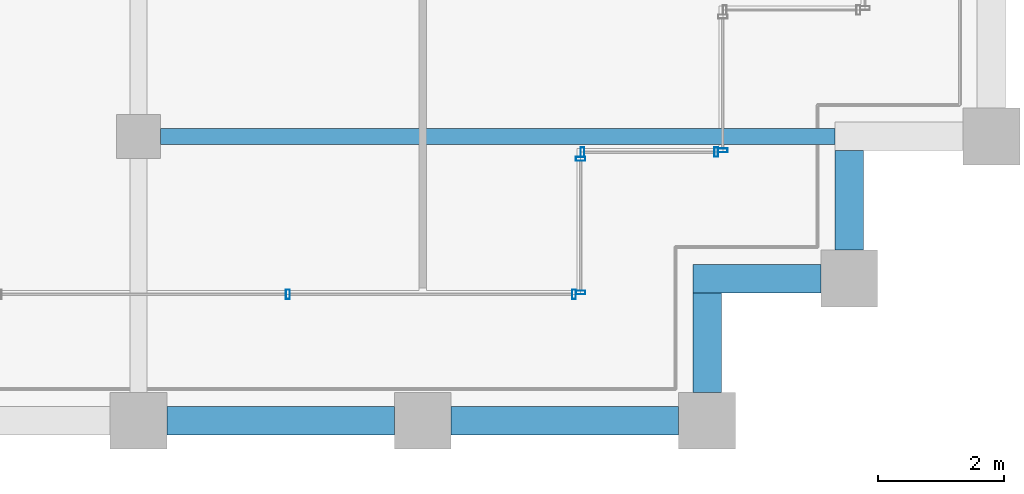
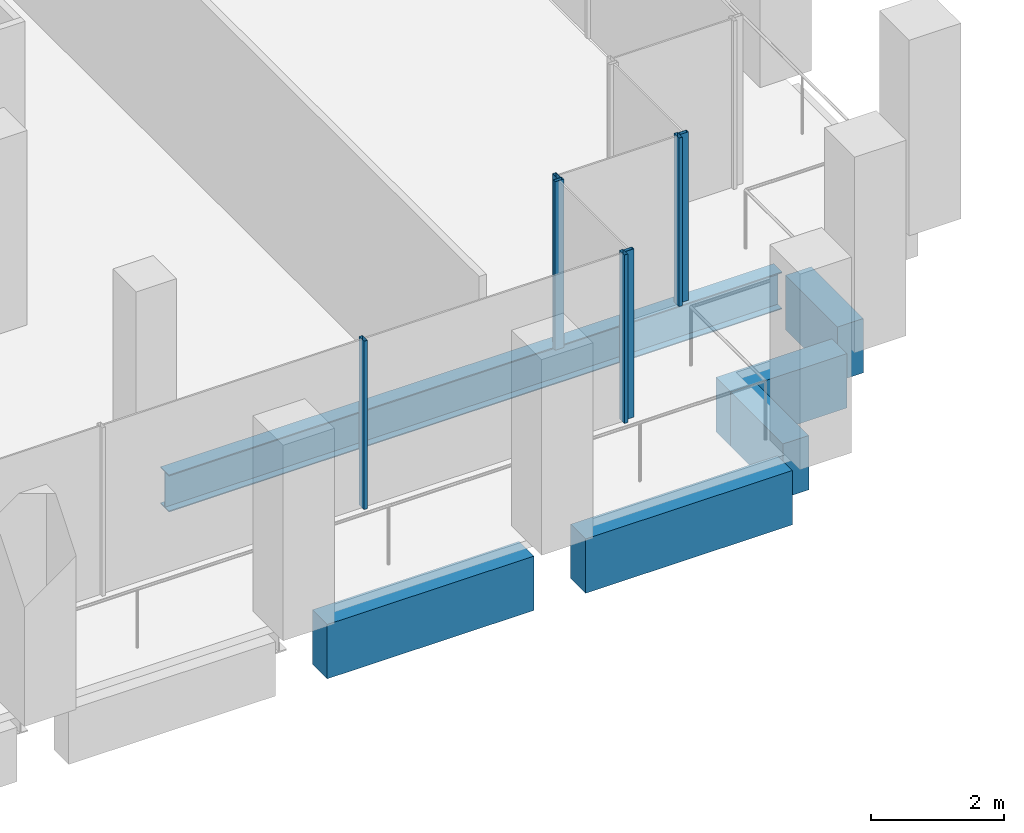
# One storey, part 12 of 40: 7 members, 6 beams, 4 elements without a shape of their own.
"""IFC4 building model written with IfcOpenShell, lengths in metres."""

from ifc_helpers import new_model, si_unit, direction, frame, origin, origin_2d, place, context, subcontext, project, spatial, rectangle, hollow_rectangle, i_section, extrude, material, material_profile, profile_set, type_object, element, aggregate, save


model = new_model("IFC4")

# Units and contexts
model_context = context("Model", 3, precision=1e-05, world=origin(), true_north=direction((0.0, 1.0)))
body_context = subcontext(model_context, "Body", "Model", "MODEL_VIEW")
ifc_project = project(units=[si_unit("LENGTHUNIT", "METRE"), si_unit("AREAUNIT", "SQUARE_METRE"), si_unit("VOLUMEUNIT", "CUBIC_METRE"), si_unit("PLANEANGLEUNIT", "RADIAN"), si_unit("MASSUNIT", "GRAM", prefix="KILO")], contexts=[model_context])

# Site, building, storey
site_placement = place(None, origin())
site = spatial("IfcSite", under=ifc_project, at=site_placement, CompositionType="ELEMENT")
building_placement = place(site_placement, origin())
building = spatial("IfcBuilding", under=site, at=building_placement, Name="Altepetl Exchange Towers", CompositionType="ELEMENT")
storey_placement = place(building_placement, frame((0.0, 0.0, 158.199951171875)))
storey = spatial("IfcBuildingStorey", under=building, at=storey_placement, Name="L39", CompositionType="ELEMENT", Elevation=158.199951171875)

# Beam
ifc_material_1 = material(Name="Steel S355", Category="steel")
ifc_material_profile_1 = material_profile(ifc_material_1, i_section(OverallWidth=0.25390625, OverallDepth=0.68408203125, WebThickness=0.012451171875, FlangeThickness=0.018798828125, at=origin_2d()), Name="W27X94")
ifc_profile_set_1 = profile_set([ifc_material_profile_1], Name="Steel S355")
beam_type_1 = type_object("IfcBeamType", Name="Floor beam W27X94", PredefinedType="BEAM", material=ifc_profile_set_1)
beam_1_placement = place(storey_placement, frame((58.85009765625, 31.5, -0.491943359375), z_axis=(1.0, 0.0, 0.0), x_axis=(0.0, 1.0, 0.0)))
element("IfcBeam", 1, at=beam_1_placement, inside=storey, type_object=beam_type_1, Name="bm:A:L39:006", PredefinedType="BEAM", context=body_context, shape_type="SweptSolid", body=[
    extrude(i_section(OverallWidth=0.25390625, OverallDepth=0.68408203125, WebThickness=0.012451171875, FlangeThickness=0.018798828125, at=origin_2d()), origin(), (0.0, 0.0, 1.0), 10.6748046875),
])

# Curtain wall, members
ifc_material_2 = material(Name="Aluminium 6063-T6 glazing", Category="aluminium")
curtain_wall_type = type_object("IfcCurtainWallType", Name="Loggia glazing system", PredefinedType="NOTDEFINED", material=ifc_material_2)
curtain_wall_1_placement = place(storey_placement, origin())
curtain_wall_1 = element("IfcCurtainWall", 2, at=curtain_wall_1_placement, inside=storey, type_object=curtain_wall_type, Name="CW1 run", PredefinedType="NOTDEFINED")
ifc_material_3 = material(Name="Aluminium 6063-T6", Category="aluminium")
ifc_material_profile_2 = material_profile(ifc_material_3, hollow_rectangle(XDim=0.06005859375, YDim=0.14990234375, WallThickness=0.0029296875, at=origin_2d()), Name="Mullion 60x150 aluminium")
ifc_profile_set_2 = profile_set([ifc_material_profile_2], Name="Aluminium 6063-T6")
member_type = type_object("IfcMemberType", Name="Mullion 60x150 aluminium", PredefinedType="MULLION", material=ifc_profile_set_2)
member_1_placement = place(storey_placement, frame((60.8642578125, 29.0, 0.0)))
member_1 = element("IfcMember", 3, at=member_1_placement, type_object=member_type, Name="MU1 mullion", PredefinedType="MULLION", context=body_context, shape_type="SweptSolid", body=[
    extrude(hollow_rectangle(XDim=0.06005859375, YDim=0.14990234375, WallThickness=0.0029296875, at=origin_2d()), origin(), (0.0, 0.0, 1.0), 3.10009765625),
])
member_2_placement = place(storey_placement, frame((65.39501953125, 29.0, 0.0)))
member_2 = element("IfcMember", 4, at=member_2_placement, type_object=member_type, Name="MU1 mullion", PredefinedType="MULLION", context=body_context, shape_type="SweptSolid", body=[
    extrude(hollow_rectangle(XDim=0.06005859375, YDim=0.14990234375, WallThickness=0.0029296875, at=origin_2d()), origin(), (0.0, 0.0, 1.0), 3.10009765625),
])
aggregate(curtain_wall_1, [member_1, member_2])

curtain_wall_2_placement = place(storey_placement, origin())
curtain_wall_2 = element("IfcCurtainWall", 5, at=curtain_wall_2_placement, inside=storey, type_object=curtain_wall_type, Name="CW1 run", PredefinedType="NOTDEFINED")
member_3_placement = place(storey_placement, frame((65.5, 29.030029296875, 0.0), z_axis=(0.0, 0.0, 1.0), x_axis=(0.0, 1.0, 0.0)))
member_3 = element("IfcMember", 6, at=member_3_placement, type_object=member_type, Name="MU1 mullion", PredefinedType="MULLION", context=body_context, shape_type="SweptSolid", body=[
    extrude(hollow_rectangle(XDim=0.06005859375, YDim=0.14990234375, WallThickness=0.0029296875, at=origin_2d()), origin(), (0.0, 0.0, 1.0), 3.10009765625),
])
member_4_placement = place(storey_placement, frame((65.5, 31.14501953125, 0.0), z_axis=(0.0, 0.0, 1.0), x_axis=(0.0, 1.0, 0.0)))
member_4 = element("IfcMember", 7, at=member_4_placement, type_object=member_type, Name="MU1 mullion", PredefinedType="MULLION", context=body_context, shape_type="SweptSolid", body=[
    extrude(hollow_rectangle(XDim=0.06005859375, YDim=0.14990234375, WallThickness=0.0029296875, at=origin_2d()), origin(), (0.0, 0.0, 1.0), 3.10009765625),
])
aggregate(curtain_wall_2, [member_3, member_4])

curtain_wall_3_placement = place(storey_placement, origin())
curtain_wall_3 = element("IfcCurtainWall", 8, at=curtain_wall_3_placement, inside=storey, type_object=curtain_wall_type, Name="CW1 run", PredefinedType="NOTDEFINED")
member_5_placement = place(storey_placement, frame((65.530029296875, 31.25, 0.0)))
member_5 = element("IfcMember", 9, at=member_5_placement, type_object=member_type, Name="MU1 mullion", PredefinedType="MULLION", context=body_context, shape_type="SweptSolid", body=[
    extrude(hollow_rectangle(XDim=0.06005859375, YDim=0.14990234375, WallThickness=0.0029296875, at=origin_2d()), origin(), (0.0, 0.0, 1.0), 3.10009765625),
])
member_6_placement = place(storey_placement, frame((67.64501953125, 31.25, 0.0)))
member_6 = element("IfcMember", 10, at=member_6_placement, type_object=member_type, Name="MU1 mullion", PredefinedType="MULLION", context=body_context, shape_type="SweptSolid", body=[
    extrude(hollow_rectangle(XDim=0.06005859375, YDim=0.14990234375, WallThickness=0.0029296875, at=origin_2d()), origin(), (0.0, 0.0, 1.0), 3.10009765625),
])
aggregate(curtain_wall_3, [member_5, member_6])

# Curtain wall, member
curtain_wall_4_placement = place(storey_placement, origin())
curtain_wall_4 = element("IfcCurtainWall", 11, at=curtain_wall_4_placement, inside=storey, type_object=curtain_wall_type, Name="CW1 run", PredefinedType="NOTDEFINED")
member_7_placement = place(storey_placement, frame((67.75, 31.280029296875, 0.0), z_axis=(0.0, 0.0, 1.0), x_axis=(0.0, 1.0, 0.0)))
member_7 = element("IfcMember", 12, at=member_7_placement, type_object=member_type, Name="MU1 mullion", PredefinedType="MULLION", context=body_context, shape_type="SweptSolid", body=[
    extrude(hollow_rectangle(XDim=0.06005859375, YDim=0.14990234375, WallThickness=0.0029296875, at=origin_2d()), origin(), (0.0, 0.0, 1.0), 3.10009765625),
])
aggregate(curtain_wall_4, [member_7])

# Beams
ifc_material_4 = material(Name="Concrete C50/60 precast with cantera amarilla facing", Category="concrete")
ifc_material_profile_3 = material_profile(ifc_material_4, rectangle(XDim=0.449951171875, YDim=1.0, at=origin_2d()), Name="450 x 1000")
ifc_profile_set_3 = profile_set([ifc_material_profile_3], Name="Concrete C50/60 precast with cantera amarilla facing")
beam_type_2 = type_object("IfcBeamType", Name="Spandrel beam 450x1000 cantera amarilla", PredefinedType="SPANDREL", material=ifc_profile_set_3)
for number, where, z_axis, x_axis, name in (
    (13, (58.949951171875, 27.0, -0.64990234375), (1.0, 0.0, 0.0), (0.0, 1.0, 0.0), "sp:A:L39:006"),
    (14, (63.449951171875, 27.0, -0.64990234375), (1.0, 0.0, 0.0), (0.0, 1.0, 0.0), "sp:A:L39:007"),
):
    element("IfcBeam", number, at=place(storey_placement, frame(where, z_axis=z_axis, x_axis=x_axis)), inside=storey, type_object=beam_type_2, Name=name, PredefinedType="SPANDREL", context=body_context, shape_type="SweptSolid", body=[
        extrude(rectangle(XDim=0.449951171875, YDim=1.0, at=origin_2d()), origin(), (0.0, 0.0, 1.0), 3.60009765625),
    ])
beam_2_placement = place(storey_placement, frame((67.5, 27.449951171875, -0.64990234375), z_axis=(0.0, 1.0, 0.0), x_axis=(-1.0, 0.0, 0.0)))
element("IfcBeam", 15, at=beam_2_placement, inside=storey, type_object=beam_type_2, Name="sp:A:L39:008", PredefinedType="SPANDREL", context=body_context, shape_type="SweptSolid", body=[
    extrude(rectangle(XDim=0.449951171875, YDim=1.0, at=origin_2d()), origin(), (0.0, 0.0, 1.0), 1.574951171875),
])
beam_3_placement = place(storey_placement, frame((67.27490234375, 29.25, -0.64990234375), z_axis=(1.0, 0.0, 0.0), x_axis=(0.0, 1.0, 0.0)))
element("IfcBeam", 16, at=beam_3_placement, inside=storey, type_object=beam_type_2, Name="sp:A:L39:009", PredefinedType="SPANDREL", context=body_context, shape_type="SweptSolid", body=[
    extrude(rectangle(XDim=0.449951171875, YDim=1.0, at=origin_2d()), origin(), (0.0, 0.0, 1.0), 2.025146484375),
])
beam_4_placement = place(storey_placement, frame((69.75, 29.699951171875, -0.64990234375), z_axis=(0.0, 1.0, 0.0), x_axis=(-1.0, 0.0, 0.0)))
element("IfcBeam", 17, at=beam_4_placement, inside=storey, type_object=beam_type_2, Name="sp:A:L39:010", PredefinedType="SPANDREL", context=body_context, shape_type="SweptSolid", body=[
    extrude(rectangle(XDim=0.449951171875, YDim=1.0, at=origin_2d()), origin(), (0.0, 0.0, 1.0), 1.574951171875),
])

save(model, "model.ifc")
